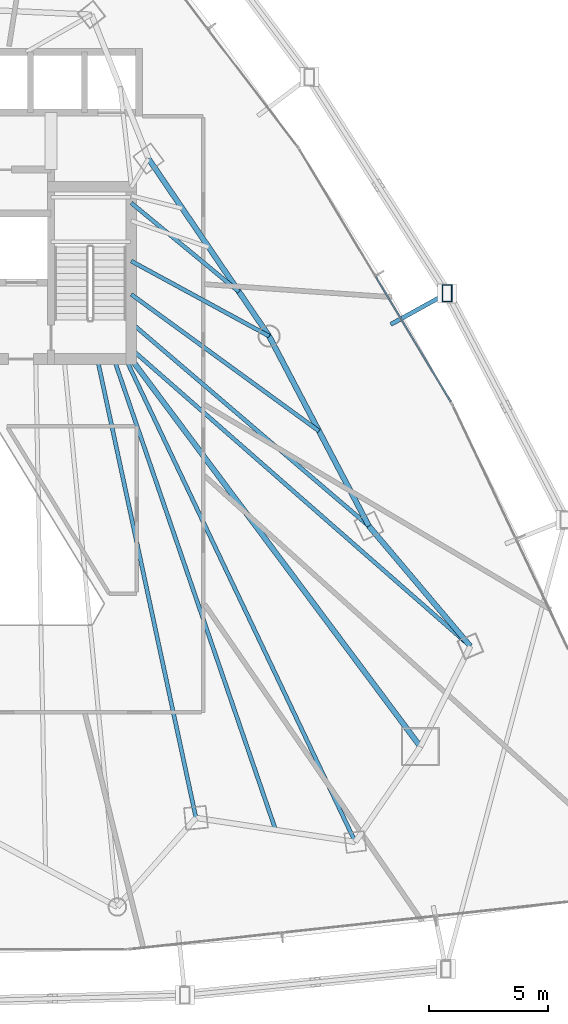
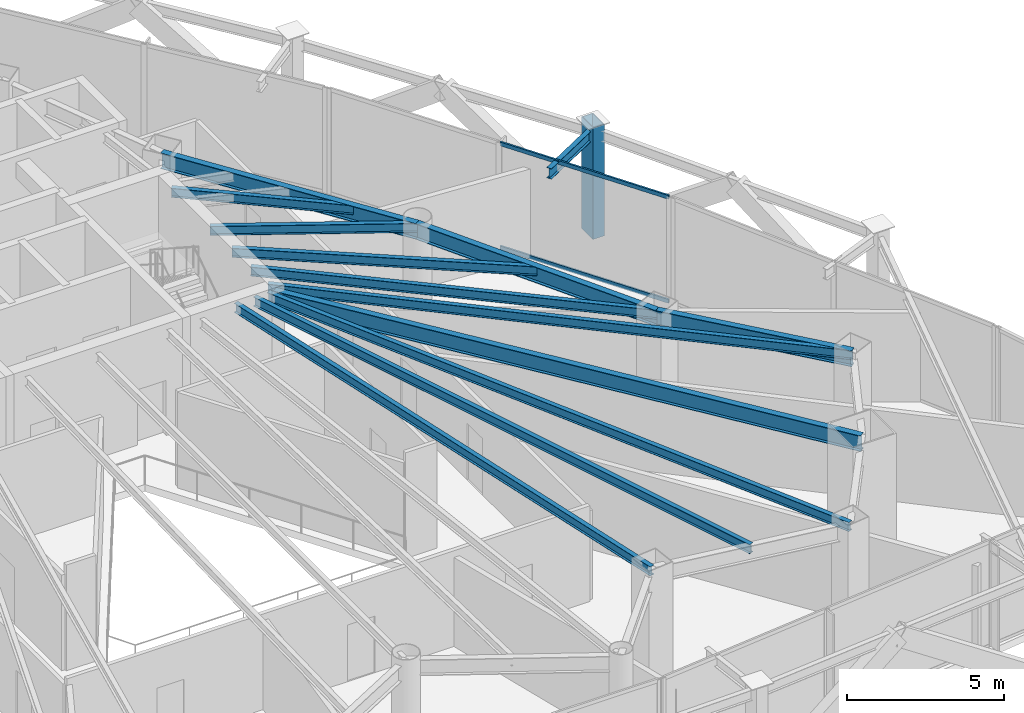
# One storey, part 17 of 33: 13 beams, 3 members, 1 element without a shape of its own.
"""IFC4 building model written with IfcOpenShell, lengths in metres."""

from ifc_helpers import new_model, si_unit, direction, frame, origin, origin_2d, place, context, subcontext, project, spatial, hollow_rectangle, i_section, extrude, material, layer, layer_set, material_profile, profile_set, type_object, element, aggregate, save


model = new_model("IFC4")

# Units and contexts
model_context = context("Model", 3, precision=1e-05, world=origin(), true_north=direction((0.0, 1.0)))
body_context = subcontext(model_context, "Body", "Model", "MODEL_VIEW")
ifc_project = project(units=[si_unit("LENGTHUNIT", "METRE"), si_unit("AREAUNIT", "SQUARE_METRE"), si_unit("VOLUMEUNIT", "CUBIC_METRE"), si_unit("PLANEANGLEUNIT", "RADIAN"), si_unit("MASSUNIT", "GRAM", prefix="KILO")], contexts=[model_context])

# Site, building, storey
site_placement = place(None, origin())
site = spatial("IfcSite", under=ifc_project, at=site_placement, CompositionType="ELEMENT")
building_placement = place(site_placement, origin())
building = spatial("IfcBuilding", under=site, at=building_placement, Name="Orvanel Arch Residences", CompositionType="ELEMENT")
storey_placement = place(building_placement, frame((0.0, 0.0, 59.89990234375)))
storey = spatial("IfcBuildingStorey", under=building, at=storey_placement, Name="L16", CompositionType="ELEMENT", Elevation=59.89990234375)

# Beams
ifc_material_1 = material(Name="Structural steel AS/NZS 3679.1 Grade 300 (300 MPa)", Category="steel")
ifc_material_profile_1 = material_profile(ifc_material_1, i_section(OverallWidth=0.22900390625, OverallDepth=0.612060546875, WebThickness=0.011962890625, FlangeThickness=0.01953125, at=origin_2d()), Name="610UB125")
ifc_profile_set_1 = profile_set([ifc_material_profile_1], Name="Structural steel AS/NZS 3679.1 Grade 300 (300 MPa)")
beam_type_1 = type_object("IfcBeamType", Name="BG-610UB", PredefinedType="BEAM", material=ifc_profile_set_1)
beam_1_placement = place(storey_placement, frame((39.625, 26.675048828125, 3.80419921875), z_axis=(0.597893733742, -0.801575375839, 0.0), x_axis=(0.801575375839, 0.597893733742, 0.0)))
element("IfcBeam", 1, at=beam_1_placement, inside=storey, type_object=beam_type_1, Name="L16 South-East Radial Girder", PredefinedType="BEAM", context=body_context, shape_type="SweptSolid", body=[
    extrude(i_section(OverallWidth=0.22900390625, OverallDepth=0.612060546875, WebThickness=0.011962890625, FlangeThickness=0.01953125, at=origin_2d()), origin(), (0.0, 0.0, 1.0), 20.36474609375),
])
ifc_material_profile_2 = material_profile(ifc_material_1, i_section(OverallWidth=0.1708984375, OverallDepth=0.35595703125, WebThickness=0.00732421875, FlangeThickness=0.011474609375, at=origin_2d()), Name="360UB50.7")
ifc_profile_set_2 = profile_set([ifc_material_profile_2], Name="Structural steel AS/NZS 3679.1 Grade 300 (300 MPa)")
beam_type_2 = type_object("IfcBeamType", Name="BJ-360UB", PredefinedType="JOIST", material=ifc_profile_set_2)
beam_2_placement = place(storey_placement, frame((39.625, 30.800048828125, 3.93212890625), z_axis=(0.878399029914, -0.477927969726, 0.0), x_axis=(0.477927969726, 0.878399029914, 0.0)))
element("IfcBeam", 2, at=beam_2_placement, inside=storey, type_object=beam_type_2, Name="L16 NE Wing Floor Joist", PredefinedType="JOIST", context=body_context, shape_type="SweptSolid", body=[
    extrude(i_section(OverallWidth=0.1708984375, OverallDepth=0.35595703125, WebThickness=0.00732421875, FlangeThickness=0.011474609375, at=origin_2d()), origin(), (0.0, 0.0, 1.0), 6.609619140625),
])
beam_3_placement = place(storey_placement, frame((39.625, 28.199951171875, 3.93212890625), z_axis=(0.760024297953, -0.649894658018, 0.0), x_axis=(0.649894658018, 0.760024297953, 0.0)))
element("IfcBeam", 3, at=beam_3_placement, inside=storey, type_object=beam_type_2, Name="L16 E Wing Floor Joist", PredefinedType="JOIST", context=body_context, shape_type="SweptSolid", body=[
    extrude(i_section(OverallWidth=0.1708984375, OverallDepth=0.35595703125, WebThickness=0.00732421875, FlangeThickness=0.011474609375, at=origin_2d()), origin(), (0.0, 0.0, 1.0), 13.16796875),
])
beam_4_placement = place(storey_placement, frame((38.199951171875, 26.675048828125, 3.93212890625), z_axis=(0.210066515515, -0.977687096703, 0.0), x_axis=(0.977687096703, 0.210066515515, 0.0)))
element("IfcBeam", 4, at=beam_4_placement, inside=storey, type_object=beam_type_2, Name="L16 SE Wing Floor Joist", PredefinedType="JOIST", context=body_context, shape_type="SweptSolid", body=[
    extrude(i_section(OverallWidth=0.1708984375, OverallDepth=0.35595703125, WebThickness=0.00732421875, FlangeThickness=0.011474609375, at=origin_2d()), origin(), (0.0, 0.0, 1.0), 19.760986328125),
])
beam_5_placement = place(storey_placement, frame((39.625, 27.10009765625, 3.93212890625), z_axis=(0.751924114057, -0.659249669472, 0.0), x_axis=(0.659249669472, 0.751924114057, 0.0)))
element("IfcBeam", 5, at=beam_5_placement, inside=storey, type_object=beam_type_2, Name="L16 ME Wing Floor Joist", PredefinedType="JOIST", context=body_context, shape_type="SweptSolid", body=[
    extrude(i_section(OverallWidth=0.1708984375, OverallDepth=0.35595703125, WebThickness=0.00732421875, FlangeThickness=0.011474609375, at=origin_2d()), origin(), (0.0, 0.0, 1.0), 18.9912109375),
])
beam_6_placement = place(storey_placement, frame((39.39990234375, 26.675048828125, 3.93212890625), z_axis=(0.429042657795, -0.903284228686, 0.0), x_axis=(0.903284228686, 0.429042657795, 0.0)))
element("IfcBeam", 6, at=beam_6_placement, inside=storey, type_object=beam_type_2, Name="L16 MSE Wing Floor Joist", PredefinedType="JOIST", context=body_context, shape_type="SweptSolid", body=[
    extrude(i_section(OverallWidth=0.1708984375, OverallDepth=0.35595703125, WebThickness=0.00732421875, FlangeThickness=0.011474609375, at=origin_2d()), origin(), (0.0, 0.0, 1.0), 22.513427734375),
])
beam_7_placement = place(storey_placement, frame((39.625, 33.25, 3.93212890625), z_axis=(0.771468562814, -0.636267441089, 0.0), x_axis=(0.636267441089, 0.771468562814, 0.0)))
element("IfcBeam", 7, at=beam_7_placement, inside=storey, type_object=beam_type_2, Name="L16 LE Wing Floor Joist", PredefinedType="JOIST", context=body_context, shape_type="SweptSolid", body=[
    extrude(i_section(OverallWidth=0.1708984375, OverallDepth=0.35595703125, WebThickness=0.00732421875, FlangeThickness=0.011474609375, at=origin_2d()), origin(), (0.0, 0.0, 1.0), 5.879638671875),
])
beam_8_placement = place(storey_placement, frame((39.625, 29.39990234375, 3.93212890625), z_axis=(0.808381909511, -0.588658380026, 0.0), x_axis=(0.588658380026, 0.808381909511, 0.0)))
element("IfcBeam", 8, at=beam_8_placement, inside=storey, type_object=beam_type_2, Name="L16 CTE Wing Floor Joist", PredefinedType="JOIST", context=body_context, shape_type="SweptSolid", body=[
    extrude(i_section(OverallWidth=0.1708984375, OverallDepth=0.35595703125, WebThickness=0.00732421875, FlangeThickness=0.011474609375, at=origin_2d()), origin(), (0.0, 0.0, 1.0), 9.78125),
])
beam_9_placement = place(storey_placement, frame((38.89990234375, 26.675048828125, 3.93212890625), z_axis=(0.324621456495, -0.945844019901, 0.0), x_axis=(0.945844019901, 0.324621456495, 0.0)))
element("IfcBeam", 9, at=beam_9_placement, inside=storey, type_object=beam_type_2, Name="L16 JADD2 Wing Floor Joist", PredefinedType="JOIST", context=body_context, shape_type="SweptSolid", body=[
    extrude(i_section(OverallWidth=0.1708984375, OverallDepth=0.35595703125, WebThickness=0.00732421875, FlangeThickness=0.011474609375, at=origin_2d()), origin(), (0.0, 0.0, 1.0), 20.96337890625),
])

# Member
ifc_material_2 = material(Name="Structural steel AS/NZS 3678 Grade 350", Category="steel")
ifc_material_profile_3 = material_profile(ifc_material_2, hollow_rectangle(XDim=0.419921875, YDim=0.719970703125, WallThickness=0.02490234375, at=origin_2d()), Name="RHS720x420x25")
ifc_profile_set_3 = profile_set([ifc_material_profile_3], Name="Structural steel AS/NZS 3678 Grade 350")
member_type_1 = type_object("IfcMemberType", Name="CH-720RHS-EXT", PredefinedType="CHORD", material=ifc_profile_set_3)
member_1_placement = place(storey_placement, frame((52.926025390625, 29.443115234375, 0.0), z_axis=(0.0, 0.0, 1.0), x_axis=(1.0, 0.0, 0.0)))
element("IfcMember", 10, at=member_1_placement, inside=storey, type_object=member_type_1, Name="L16 Outer Perimeter Frame Post 10", PredefinedType="CHORD", context=body_context, shape_type="SweptSolid", body=[
    extrude(hollow_rectangle(XDim=0.419921875, YDim=0.719970703125, WallThickness=0.02490234375, at=origin_2d()), origin(), (0.0, 0.0, 1.0), 4.35009765625),
])

# Beams
ifc_material_profile_4 = material_profile(ifc_material_1, i_section(OverallWidth=0.177978515625, OverallDepth=0.406005859375, WebThickness=0.0078125, FlangeThickness=0.0126953125, at=origin_2d()), Name="410UB59.7")
ifc_profile_set_4 = profile_set([ifc_material_profile_4], Name="Structural steel AS/NZS 3679.1 Grade 300 (300 MPa)")
beam_type_3 = type_object("IfcBeamType", Name="OB-410UB-EXT", PredefinedType="SPANDREL", material=ifc_profile_set_4)
beam_10_placement = place(storey_placement, frame((50.553955078125, 28.133056640625, 3.906982421875), z_axis=(0.875369980577, 0.483453614222, 0.0), x_axis=(-0.483453614222, 0.875369980577, 0.0)))
element("IfcBeam", 11, at=beam_10_placement, inside=storey, type_object=beam_type_3, Name="L16 Outer Frame Radial Tie Beam 10", PredefinedType="SPANDREL", context=body_context, shape_type="SweptSolid", body=[
    extrude(i_section(OverallWidth=0.177978515625, OverallDepth=0.406005859375, WebThickness=0.0078125, FlangeThickness=0.0126953125, at=origin_2d()), origin(), (0.0, 0.0, 1.0), 2.709716796875),
])
ifc_material_profile_5 = material_profile(ifc_material_1, i_section(OverallWidth=0.22900390625, OverallDepth=0.612060546875, WebThickness=0.011962890625, FlangeThickness=0.01953125, at=origin_2d()), Name="610UB125")
ifc_profile_set_5 = profile_set([ifc_material_profile_5], Name="Structural steel AS/NZS 3679.1 Grade 300 (300 MPa)")
beam_type_4 = type_object("IfcBeamType", Name="SP-610UB", PredefinedType="SPANDREL", material=ifc_profile_set_5)
beam_11_placement = place(storey_placement, frame((53.905029296875, 14.580078125, 3.80419921875), z_axis=(-0.644950329775, 0.764224490659, 0.0), x_axis=(-0.764224490659, -0.644950329775, 0.0)))
element("IfcBeam", 12, at=beam_11_placement, inside=storey, type_object=beam_type_4, Name="L16 Perimeter Spandrel Beam 12", PredefinedType="SPANDREL", context=body_context, shape_type="SweptSolid", body=[
    extrude(i_section(OverallWidth=0.22900390625, OverallDepth=0.612060546875, WebThickness=0.011962890625, FlangeThickness=0.01953125, at=origin_2d()), origin(), (0.0, 0.0, 1.0), 6.623779296875),
])
beam_12_placement = place(storey_placement, frame((49.633056640625, 19.64208984375, 3.80419921875), z_axis=(-0.465064762793, 0.885276660942, 0.0), x_axis=(-0.885276660942, -0.465064762793, 0.0)))
element("IfcBeam", 13, at=beam_12_placement, inside=storey, type_object=beam_type_4, Name="L16 Perimeter Spandrel Beam 13", PredefinedType="SPANDREL", context=body_context, shape_type="SweptSolid", body=[
    extrude(i_section(OverallWidth=0.22900390625, OverallDepth=0.612060546875, WebThickness=0.011962890625, FlangeThickness=0.01953125, at=origin_2d()), origin(), (0.0, 0.0, 1.0), 9.03564453125),
])
beam_13_placement = place(storey_placement, frame((45.430908203125, 27.64111328125, 3.80419921875), z_axis=(-0.562154793153, 0.827032035978, 0.0), x_axis=(-0.827032035978, -0.562154793153, 0.0)))
element("IfcBeam", 14, at=beam_13_placement, inside=storey, type_object=beam_type_4, Name="L16 Perimeter Spandrel Beam 14", PredefinedType="SPANDREL", context=body_context, shape_type="SweptSolid", body=[
    extrude(i_section(OverallWidth=0.22900390625, OverallDepth=0.612060546875, WebThickness=0.011962890625, FlangeThickness=0.01953125, at=origin_2d()), origin(), (0.0, 0.0, 1.0), 9.03466796875),
])

# Curtain wall, members
ifc_material_3 = material(Name="Bronze-anodised aluminium AA6063-T6", Category="aluminium")
ifc_layer = layer(ifc_material_3, 0.195068359375)
ifc_layer_set = layer_set([ifc_layer], Name="Bronze-anodised aluminium AA6063-T6")
curtain_wall_type = type_object("IfcCurtainWallType", Name="CW6-COM-SYS", PredefinedType="NOTDEFINED", material=ifc_layer_set)
curtain_wall_placement = place(storey_placement, origin())
curtain_wall = element("IfcCurtainWall", 15, at=curtain_wall_placement, inside=storey, type_object=curtain_wall_type, Name="L16 CW6-COM-SYS Unitised Curtain Wall", PredefinedType="NOTDEFINED")
ifc_material_profile_6 = material_profile(ifc_material_3, hollow_rectangle(XDim=0.06494140625, YDim=0.14990234375, WallThickness=0.00390625, at=origin_2d()), Name="ALU150x65x4")
ifc_profile_set_6 = profile_set([ifc_material_profile_6], Name="Bronze-anodised aluminium AA6063-T6")
member_type_2 = type_object("IfcMemberType", Name="TRN-150x65", PredefinedType="USERDEFINED", material=ifc_profile_set_6)
member_2_placement = place(storey_placement, frame((53.081298828125, 24.88037109375, 0.03271484375), z_axis=(-0.514390419938, 0.857556118208, 0.0), x_axis=(-0.857556118208, -0.514390419938, 0.0)))
member_2 = element("IfcMember", 16, at=member_2_placement, type_object=member_type_2, Name="CW-S6 transom 1.1", ObjectType="TRANSOM", PredefinedType="USERDEFINED", context=body_context, shape_type="SweptSolid", body=[
    extrude(hollow_rectangle(XDim=0.06494140625, YDim=0.14990234375, WallThickness=0.00390625, at=origin_2d()), origin(), (0.0, 0.0, 1.0), 6.135498046875),
])
member_3_placement = place(storey_placement, frame((53.081298828125, 24.88037109375, 4.07763671875), z_axis=(-0.514390419938, 0.857556118208, 0.0), x_axis=(-0.857556118208, -0.514390419938, 0.0)))
member_3 = element("IfcMember", 17, at=member_3_placement, type_object=member_type_2, Name="CW-S6 transom 1.2", ObjectType="TRANSOM", PredefinedType="USERDEFINED", context=body_context, shape_type="SweptSolid", body=[
    extrude(hollow_rectangle(XDim=0.06494140625, YDim=0.14990234375, WallThickness=0.00390625, at=origin_2d()), origin(), (0.0, 0.0, 1.0), 6.135498046875),
])
aggregate(curtain_wall, [member_2, member_3])

save(model, "model.ifc")
